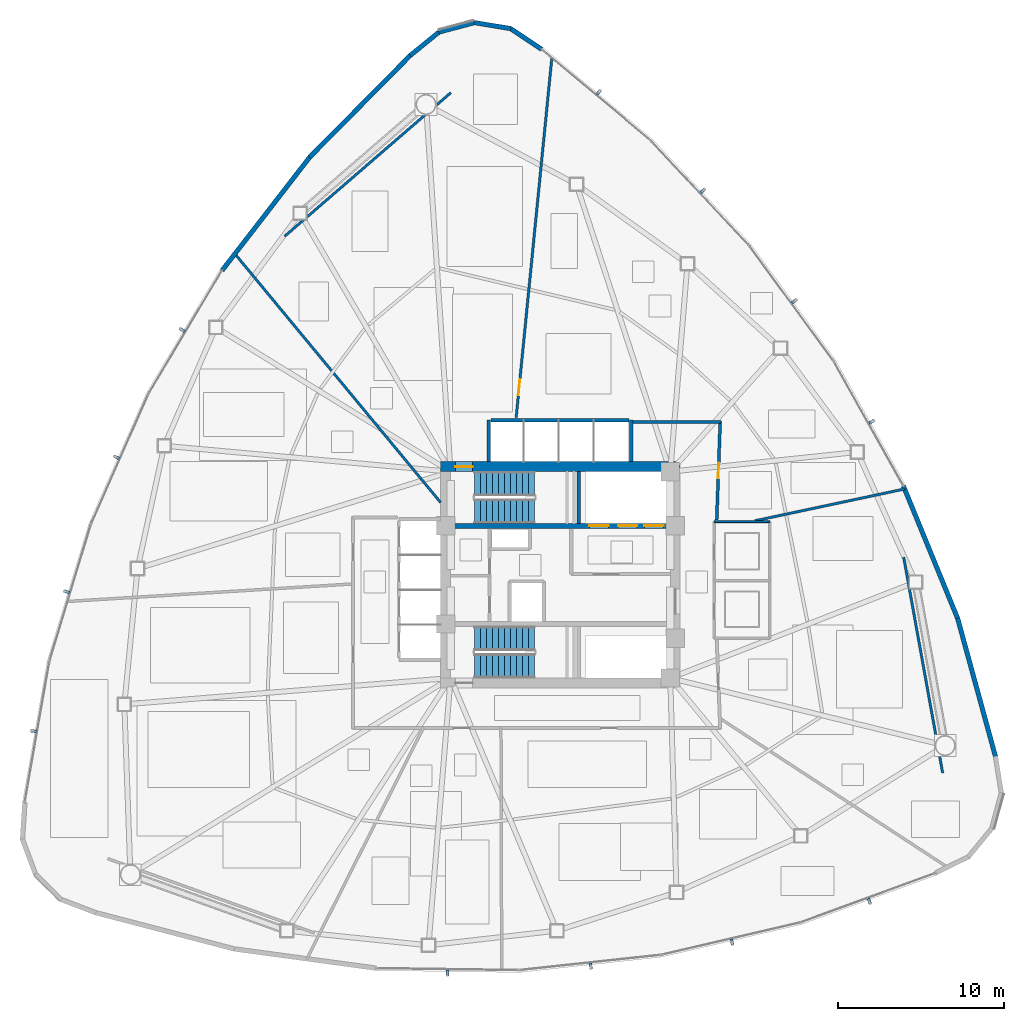
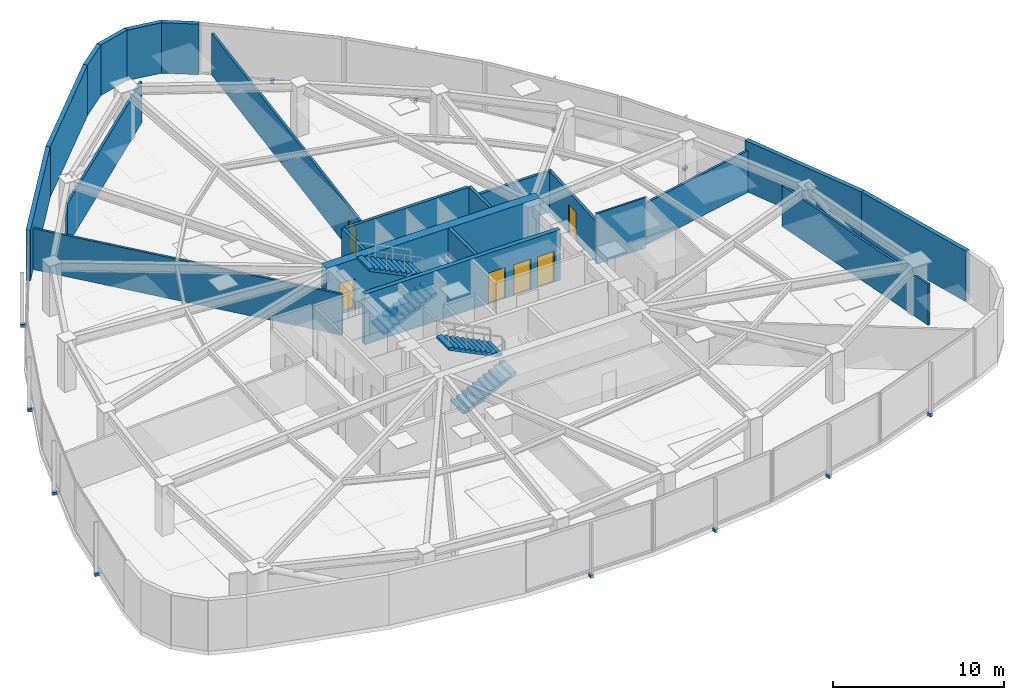
# One storey, part 12 of 16: 22 walls, 12 discrete accessories, 6 doors, 4 stair flights, 6 openings, 2 elements without a shape of their own.
"""IFC4 building model written with IfcOpenShell, lengths in metres."""

from ifc_helpers import new_model, si_unit, direction, frame, frame_2d, origin, origin_2d, place, context, subcontext, project, spatial, polyline, rectangle, outline, extrude, source, transform, mapped, material, layer, layer_set, type_object, type_shapes, element, fill, aggregate, save


model = new_model("IFC4")

# Units and contexts
model_context = context("Model", 3, precision=1e-05, world=origin(), true_north=direction((0.0, 1.0)))
body_context = subcontext(model_context, "Body", "Model", "MODEL_VIEW")
ifc_project = project(units=[si_unit("LENGTHUNIT", "METRE"), si_unit("AREAUNIT", "SQUARE_METRE"), si_unit("VOLUMEUNIT", "CUBIC_METRE"), si_unit("PLANEANGLEUNIT", "RADIAN"), si_unit("MASSUNIT", "GRAM", prefix="KILO")], contexts=[model_context])

# Site, building, storey
site_placement = place(None, origin())
site = spatial("IfcSite", under=ifc_project, at=site_placement, CompositionType="ELEMENT")
building_placement = place(site_placement, origin())
building = spatial("IfcBuilding", under=site, at=building_placement, Name="Tavelor Broadcast Tower", CompositionType="ELEMENT")
storey_placement = place(building_placement, frame((0.0, 0.0, 35.39990234375)))
storey = spatial("IfcBuildingStorey", under=building, at=storey_placement, Name="L07", CompositionType="ELEMENT", Elevation=35.39990234375)

# Wall, opening, door
ifc_material_1 = material(Name="Concrete C60/75", Category="concrete")
ifc_layer_1 = layer(ifc_material_1, 0.60009765625)
ifc_layer_set_1 = layer_set([ifc_layer_1], Name="Concrete C60/75")
wall_type_1 = type_object("IfcWallType", Name="Core Shear Wall 600 mm", PredefinedType="SHEAR", material=ifc_layer_set_1)
wall_1_placement = place(storey_placement, frame((42.800048828125, 51.5, 0.0), z_axis=(0.0, 0.0, 1.0), x_axis=(1.0, 0.0, 0.0)))
wall_1 = element("IfcWall", 1, at=wall_1_placement, inside=storey, type_object=wall_type_1, Name="L07 Central Core Shear Wall N", PredefinedType="SHEAR", context=body_context, shape_type="SweptSolid", body=[
    extrude(rectangle(XDim=14.39990234375, YDim=0.60009765625, at=frame_2d((7.199951171875, 0.0))), origin(), (0.0, 0.0, 1.0), 3.60009765625),
])
opening_1_placement = place(wall_1_placement, frame((0.8798828125, 0.0, 0.0)))
opening_1 = element("IfcOpeningElement", 2, at=opening_1_placement, cuts=wall_1, Name="Opening DR11", PredefinedType="OPENING", context=body_context, shape_type="SweptSolid", body=[
    extrude(rectangle(XDim=1.050048828125, YDim=2.199951171875, at=frame_2d((0.52490234375, 1.10009765625))), frame((0.0, 0.31005859375, 0.0), z_axis=(0.0, -1.0, 0.0), x_axis=(1.0, 0.0, 0.0)), (0.0, 0.0, 1.0), 0.6201171875),
])
ifc_material_2 = material(Name="Steel S355", Category="steel")
door_type_1 = type_object("IfcDoorType", Name="Stair Core Fire Escape Door 1050x2200", OperationType="NOTDEFINED", PredefinedType="DOOR", material=ifc_material_2)
door_1_placement = place(opening_1_placement, origin())
door_1 = element("IfcDoor", 3, at=door_1_placement, inside=storey, type_object=door_type_1, Name="L07 Stair ST1 Protected Exit Door", OperationType="SINGLE_SWING_LEFT", OverallHeight=2.199951171875, OverallWidth=1.050048828125, PredefinedType="DOOR", context=body_context, shape_type="SweptSolid", body=[
    extrude(rectangle(XDim=1.050048828125, YDim=2.199951171875, at=frame_2d((0.52490234375, 1.10009765625))), frame((0.0, 0.02490234375, 0.0), z_axis=(0.0, -1.0, 0.0), x_axis=(1.0, 0.0, 0.0)), (0.0, 0.0, 1.0), 0.050048828125),
])
fill(opening_1, door_1)

# Wall, openings, doors
ifc_layer_2 = layer(ifc_material_1, 0.300048828125)
ifc_layer_set_2 = layer_set([ifc_layer_2], Name="Concrete C60/75")
wall_type_2 = type_object("IfcWallType", Name="Core Spine Shear Wall 300 mm C60", PredefinedType="SHEAR", material=ifc_layer_set_2)
wall_2_placement = place(storey_placement, frame((43.39990234375, 47.949951171875, 0.0), z_axis=(0.0, 0.0, 1.0), x_axis=(1.0, 0.0, 0.0)))
wall_2 = element("IfcWall", 4, at=wall_2_placement, inside=storey, type_object=wall_type_2, Name="L07 Central Core Shear Wall SP1", PredefinedType="SHEAR", context=body_context, shape_type="SweptSolid", body=[
    extrude(rectangle(XDim=13.2001953125, YDim=0.300048828125, at=frame_2d((6.60009765625, 0.0))), origin(), (0.0, 0.0, 1.0), 3.60009765625),
])
opening_2_placement = place(wall_2_placement, frame((8.344970703125, 0.0, 0.0)))
opening_2 = element("IfcOpeningElement", 5, at=opening_2_placement, cuts=wall_2, Name="Opening LD02", PredefinedType="OPENING", context=body_context, shape_type="SweptSolid", body=[
    extrude(rectangle(XDim=1.14990234375, YDim=2.199951171875, at=frame_2d((0.574951171875, 1.10009765625))), frame((0.0, 0.16015625, 0.0), z_axis=(0.0, -1.0, 0.0), x_axis=(1.0, 0.0, 0.0)), (0.0, 0.0, 1.0), 0.320068359375),
])
opening_3_placement = place(wall_2_placement, frame((10.06494140625, 0.0, 0.0)))
opening_3 = element("IfcOpeningElement", 6, at=opening_3_placement, cuts=wall_2, Name="Opening LD02", PredefinedType="OPENING", context=body_context, shape_type="SweptSolid", body=[
    extrude(rectangle(XDim=1.14990234375, YDim=2.199951171875, at=frame_2d((0.574951171875, 1.10009765625))), frame((0.0, 0.16015625, 0.0), z_axis=(0.0, -1.0, 0.0), x_axis=(1.0, 0.0, 0.0)), (0.0, 0.0, 1.0), 0.320068359375),
])
opening_4_placement = place(wall_2_placement, frame((11.64501953125, 0.0, 0.0)))
opening_4 = element("IfcOpeningElement", 7, at=opening_4_placement, cuts=wall_2, Name="Opening LD03", PredefinedType="OPENING", context=body_context, shape_type="SweptSolid", body=[
    extrude(rectangle(XDim=1.14990234375, YDim=2.199951171875, at=frame_2d((0.574951171875, 1.10009765625))), frame((0.0, 0.16015625, 0.0), z_axis=(0.0, -1.0, 0.0), x_axis=(1.0, 0.0, 0.0)), (0.0, 0.0, 1.0), 0.320068359375),
])
ifc_material_3 = material(Name="Reinforced Brushed Stainless Steel", Category="concrete")
door_type_2 = type_object("IfcDoorType", Name="Broadcast Goods Lift Sliding Landing Door 1250x2200", OperationType="NOTDEFINED", PredefinedType="DOOR", material=ifc_material_3)
door_2_placement = place(opening_4_placement, origin())
door_2 = element("IfcDoor", 8, at=door_2_placement, inside=storey, type_object=door_type_2, Name="L07 Lift SVL1 Sliding Landing Door", OperationType="SLIDING_TO_LEFT", OverallHeight=2.199951171875, OverallWidth=1.14990234375, PredefinedType="DOOR", context=body_context, shape_type="SweptSolid", body=[
    extrude(rectangle(XDim=1.14990234375, YDim=2.199951171875, at=frame_2d((0.574951171875, 1.10009765625))), frame((0.0, 0.02490234375, 0.0), z_axis=(0.0, -1.0, 0.0), x_axis=(1.0, 0.0, 0.0)), (0.0, 0.0, 1.0), 0.050048828125),
])
fill(opening_4, door_2)
ifc_material_4 = material(Name="Fire-Rated Stainless Steel", Category="steel")
door_type_3 = type_object("IfcDoorType", Name="Firefighting Lift Sliding Landing Door 1200x2200", OperationType="NOTDEFINED", PredefinedType="DOOR", material=ifc_material_4)
door_3_placement = place(opening_2_placement, origin())
door_3 = element("IfcDoor", 9, at=door_3_placement, inside=storey, type_object=door_type_3, Name="L07 Lift FFL1 Sliding Landing Door", OperationType="SLIDING_TO_LEFT", OverallHeight=2.199951171875, OverallWidth=1.14990234375, PredefinedType="DOOR", context=body_context, shape_type="SweptSolid", body=[
    extrude(rectangle(XDim=1.14990234375, YDim=2.199951171875, at=frame_2d((0.574951171875, 1.10009765625))), frame((0.0, 0.02490234375, 0.0), z_axis=(0.0, -1.0, 0.0), x_axis=(1.0, 0.0, 0.0)), (0.0, 0.0, 1.0), 0.050048828125),
])
fill(opening_2, door_3)
door_4_placement = place(opening_3_placement, origin())
door_4 = element("IfcDoor", 10, at=door_4_placement, inside=storey, type_object=door_type_3, Name="L07 Lift FFL2 Sliding Landing Door", OperationType="SLIDING_TO_LEFT", OverallHeight=2.199951171875, OverallWidth=1.14990234375, PredefinedType="DOOR", context=body_context, shape_type="SweptSolid", body=[
    extrude(rectangle(XDim=1.14990234375, YDim=2.199951171875, at=frame_2d((0.574951171875, 1.10009765625))), frame((0.0, 0.02490234375, 0.0), z_axis=(0.0, -1.0, 0.0), x_axis=(1.0, 0.0, 0.0)), (0.0, 0.0, 1.0), 0.050048828125),
])
fill(opening_3, door_4)

# Wall
ifc_material_5 = material(Name="Calcium Silicate Fire Board 180 mm", Category="gypsum")
ifc_layer_3 = layer(ifc_material_5, 0.179931640625)
ifc_layer_set_3 = layer_set([ifc_layer_3], Name="Calcium Silicate Fire Board 180 mm")
wall_type_3 = type_object("IfcWallType", Name="Fire-Rated Corridor Partition Wall 180 mm", PredefinedType="PARTITIONING", material=ifc_layer_set_3)
wall_3_placement = place(storey_placement, frame((54.300048828125, 54.199951171875, 0.0), z_axis=(0.0, 0.0, 1.0), x_axis=(1.0, 0.0, 0.0)))
element("IfcWall", 11, at=wall_3_placement, inside=storey, type_object=wall_type_3, Name="L07 Corridor Compartment Wall 01", PredefinedType="PARTITIONING", context=body_context, shape_type="SweptSolid", body=[
    extrude(rectangle(XDim=5.349853515625, YDim=0.179931640625, at=frame_2d((2.6748046875, 0.0))), origin(), (0.0, 0.0, 1.0), 2.925048828125),
])

# Wall, opening, door
wall_4_placement = place(storey_placement, frame((59.601806640625, 54.25, 0.0), z_axis=(0.0, 0.0, 1.0), x_axis=(-0.035265891834, -0.999377964973, 0.0)))
wall_4 = element("IfcWall", 12, at=wall_4_placement, inside=storey, type_object=wall_type_3, Name="L07 Corridor Compartment Wall 02", PredefinedType="PARTITIONING", context=body_context, shape_type="SweptSolid", body=[
    extrude(rectangle(XDim=5.95361328125, YDim=0.179931640625, at=frame_2d((2.976806640625, 0.0))), origin(), (0.0, 0.0, 1.0), 2.925048828125),
])
opening_5_placement = place(wall_4_placement, frame((2.501708984375, 0.0, 0.0)))
opening_5 = element("IfcOpeningElement", 13, at=opening_5_placement, cuts=wall_4, Name="Opening DR18", PredefinedType="OPENING", context=body_context, shape_type="SweptSolid", body=[
    extrude(rectangle(XDim=0.949951171875, YDim=2.050048828125, at=frame_2d((0.47509765625, 1.02490234375))), frame((0.0, 0.10009765625, 0.0), z_axis=(0.0, -1.0, 0.0), x_axis=(1.0, 0.0, 0.0)), (0.0, 0.0, 1.0), 0.199951171875),
])
ifc_material_6 = material(Name="Timber Solid Core Hardwood", Category="wood")
door_type_4 = type_object("IfcDoorType", Name="Corridor Rated Compartment Door 950x2050", OperationType="NOTDEFINED", PredefinedType="DOOR", material=ifc_material_6)
door_5_placement = place(opening_5_placement, origin())
door_5 = element("IfcDoor", 14, at=door_5_placement, inside=storey, type_object=door_type_4, Name="L07 Editorial Quiet Study Door R5", OperationType="SINGLE_SWING_LEFT", OverallHeight=2.050048828125, OverallWidth=0.949951171875, PredefinedType="DOOR", context=body_context, shape_type="SweptSolid", body=[
    extrude(rectangle(XDim=0.949951171875, YDim=2.050048828125, at=frame_2d((0.47509765625, 1.02490234375))), frame((0.0, 0.02490234375, 0.0), z_axis=(0.0, -1.0, 0.0), x_axis=(1.0, 0.0, 0.0)), (0.0, 0.0, 1.0), 0.050048828125),
])
fill(opening_5, door_5)

# Walls
ifc_material_7 = material(Name="Precast Concrete C40/50", Category="concrete")
ifc_layer_4 = layer(ifc_material_7, 0.280029296875)
ifc_layer_set_4 = layer_set([ifc_layer_4], Name="Precast Concrete C40/50")
wall_type_4 = type_object("IfcWallType", Name="Insulated Precast Terracotta Facade Wall 280 mm", PredefinedType="STANDARD", material=ifc_layer_set_4)
wall_5_placement = place(storey_placement, frame((48.86328125, 76.587646484375, 0.0), z_axis=(0.0, 0.0, 1.0), x_axis=(-0.831447614853, 0.555603153119, 0.0)))
element("IfcWall", 15, at=wall_5_placement, inside=storey, type_object=wall_type_4, Name="L07 Rounded Corner Structural Cladding Pier 01", PredefinedType="STANDARD", context=body_context, shape_type="SweptSolid", body=[
    extrude(rectangle(XDim=2.245361328125, YDim=0.280029296875, at=frame_2d((1.12255859375, 0.0))), origin(), (0.0, 0.0, 1.0), 3.60009765625),
])
for number, where, z_axis, x_axis, name in (
    (16, (47.023681640625, 77.824462890625, 0.0), (0.0, 0.0, 1.0), (-0.986435244917, 0.164150868365, 0.0), "L07 Rounded Corner Structural Cladding Pier 02"),
    (17, (44.849365234375, 78.192626953125, 0.0), (0.0, 0.0, 1.0), (-0.966598588757, -0.256295080352, 0.0), "L07 Rounded Corner Structural Cladding Pier 03"),
):
    element("IfcWall", number, at=place(storey_placement, frame(where, z_axis=z_axis, x_axis=x_axis)), inside=storey, type_object=wall_type_4, Name=name, PredefinedType="STANDARD", context=body_context, shape_type="SweptSolid", body=[
        extrude(rectangle(XDim=2.23388671875, YDim=0.280029296875, at=frame_2d((1.116943359375, 0.0))), origin(), (0.0, 0.0, 1.0), 3.60009765625),
    ])
wall_6_placement = place(storey_placement, frame((42.71630859375, 77.63330078125, 0.0), z_axis=(0.0, 0.0, 1.0), x_axis=(-0.775531205997, -0.631309233676, 0.0)))
element("IfcWall", 18, at=wall_6_placement, inside=storey, type_object=wall_type_4, Name="L07 Rounded Corner Structural Cladding Pier 04", PredefinedType="STANDARD", context=body_context, shape_type="SweptSolid", body=[
    extrude(rectangle(XDim=2.256591796875, YDim=0.280029296875, at=frame_2d((1.12841796875, 0.0))), origin(), (0.0, 0.0, 1.0), 3.60009765625),
])
wall_7_placement = place(storey_placement, frame((40.988525390625, 76.22900390625, 0.0), z_axis=(0.0, 0.0, 1.0), x_axis=(-0.703093536354, -0.711097376691, 0.0)))
element("IfcWall", 19, at=wall_7_placement, inside=storey, type_object=wall_type_4, Name="L07 Rounded Corner Structural Cladding Pier 05", PredefinedType="STANDARD", context=body_context, shape_type="SweptSolid", body=[
    extrude(rectangle(XDim=8.63232421875, YDim=0.280029296875, at=frame_2d((4.316162109375, 0.0))), origin(), (0.0, 0.0, 1.0), 3.60009765625),
])
wall_8_placement = place(storey_placement, frame((34.93896484375, 70.11328125, 0.0), z_axis=(0.0, 0.0, 1.0), x_axis=(-0.611877833045, -0.790952285178, 0.0)))
element("IfcWall", 20, at=wall_8_placement, inside=storey, type_object=wall_type_4, Name="L07 Rounded Corner Structural Cladding Pier 06", PredefinedType="STANDARD", context=body_context, shape_type="SweptSolid", body=[
    extrude(rectangle(XDim=8.620361328125, YDim=0.280029296875, at=frame_2d((4.31005859375, 0.0))), origin(), (0.0, 0.0, 1.0), 3.60009765625),
])
wall_9_placement = place(storey_placement, frame((76.150634765625, 34.072021484375, 0.0), z_axis=(0.0, 0.0, 1.0), x_axis=(-0.264268301547, 0.964449202808, 0.0)))
element("IfcWall", 21, at=wall_9_placement, inside=storey, type_object=wall_type_4, Name="L07 Rounded Corner Structural Cladding Pier 25", PredefinedType="STANDARD", context=body_context, shape_type="SweptSolid", body=[
    extrude(rectangle(XDim=8.63232421875, YDim=0.280029296875, at=frame_2d((4.316162109375, 0.0))), origin(), (0.0, 0.0, 1.0), 3.60009765625),
])
wall_10_placement = place(storey_placement, frame((73.879150390625, 42.368896484375, 0.0), z_axis=(0.0, 0.0, 1.0), x_axis=(-0.379029816486, 0.925384459678, 0.0)))
element("IfcWall", 22, at=wall_10_placement, inside=storey, type_object=wall_type_4, Name="L07 Rounded Corner Structural Cladding Pier 26", PredefinedType="STANDARD", context=body_context, shape_type="SweptSolid", body=[
    extrude(rectangle(XDim=8.620361328125, YDim=0.280029296875, at=frame_2d((4.31005859375, 0.0))), origin(), (0.0, 0.0, 1.0), 3.60009765625),
])
ifc_material_8 = material(Name="Gypsum Acoustic Plasterboard 150 mm", Category="gypsum")
ifc_layer_5 = layer(ifc_material_8, 0.14990234375)
ifc_layer_set_5 = layer_set([ifc_layer_5], Name="Gypsum Acoustic Plasterboard 150 mm")
wall_type_5 = type_object("IfcWallType", Name="Interior Acoustic Partition Wall 150 mm", PredefinedType="PARTITIONING", material=ifc_layer_set_5)
wall_11_placement = place(storey_placement, frame((43.42138671875, 73.9794921875, 0.0), z_axis=(0.0, 0.0, 1.0), x_axis=(-0.756659135409, -0.653809569218, 0.0)))
element("IfcWall", 23, at=wall_11_placement, inside=storey, type_object=wall_type_5, Name="L07 Corner Tube Brace Furring Wall 1", PredefinedType="PARTITIONING", context=body_context, shape_type="SweptSolid", body=[
    extrude(rectangle(XDim=13.200439453125, YDim=0.14990234375, at=frame_2d((6.60009765625, 0.0))), origin(), (0.0, 0.0, 1.0), 2.925048828125),
])
wall_12_placement = place(storey_placement, frame((72.96923828125, 33.09130859375, 0.0), z_axis=(0.0, 0.0, 1.0), x_axis=(-0.177742578179, 0.984077017261, 0.0)))
element("IfcWall", 24, at=wall_12_placement, inside=storey, type_object=wall_type_5, Name="L07 Corner Tube Brace Furring Wall 3", PredefinedType="PARTITIONING", context=body_context, shape_type="SweptSolid", body=[
    extrude(rectangle(XDim=13.179443359375, YDim=0.14990234375, at=frame_2d((6.58984375, 0.0))), origin(), (0.0, 0.0, 1.0), 2.925048828125),
])
wall_13_placement = place(storey_placement, frame((61.68994140625, 48.25, 0.0), z_axis=(0.0, 0.0, 1.0), x_axis=(0.978146787785, 0.207915515404, 0.0)))
element("IfcWall", 25, at=wall_13_placement, inside=storey, type_object=wall_type_5, Name="L07 Radial Compartment Wall 01", PredefinedType="PARTITIONING", context=body_context, shape_type="SweptSolid", body=[
    extrude(rectangle(XDim=9.208251953125, YDim=0.14990234375, at=frame_2d((4.60400390625, 0.0))), origin(), (0.0, 0.0, 1.0), 2.97509765625),
])

# Wall, opening, door
wall_14_placement = place(storey_placement, frame((47.33837890625, 54.449951171875, 0.0), z_axis=(0.0, 0.0, 1.0), x_axis=(0.098799726218, 0.995107337979, 0.0)))
wall_14 = element("IfcWall", 26, at=wall_14_placement, inside=storey, type_object=wall_type_5, Name="L07 Radial Compartment Wall 02", PredefinedType="PARTITIONING", context=body_context, shape_type="SweptSolid", body=[
    extrude(rectangle(XDim=21.735595703125, YDim=0.14990234375, at=frame_2d((10.86767578125, 0.0))), origin(), (0.0, 0.0, 1.0), 2.97509765625),
])
opening_6_placement = place(wall_14_placement, frame((1.35009765625, 0.0, 0.0)))
opening_6 = element("IfcOpeningElement", 27, at=opening_6_placement, cuts=wall_14, Name="Opening DR18", PredefinedType="OPENING", context=body_context, shape_type="SweptSolid", body=[
    extrude(rectangle(XDim=0.949951171875, YDim=2.050048828125, at=frame_2d((0.47509765625, 1.02490234375))), frame((0.0, 0.0849609375, 0.0), z_axis=(0.0, -1.0, 0.0), x_axis=(1.0, 0.0, 0.0)), (0.0, 0.0, 1.0), 0.169921875),
])
door_6_placement = place(opening_6_placement, origin())
door_6 = element("IfcDoor", 28, at=door_6_placement, inside=storey, type_object=door_type_4, Name="L07 Suite Connecting Door 4", OperationType="SINGLE_SWING_RIGHT", OverallHeight=2.050048828125, OverallWidth=0.949951171875, PredefinedType="DOOR", context=body_context, shape_type="SweptSolid", body=[
    extrude(rectangle(XDim=0.949951171875, YDim=2.050048828125, at=frame_2d((0.47509765625, 1.02490234375))), frame((0.0, 0.02490234375, 0.0), z_axis=(0.0, -1.0, 0.0), x_axis=(1.0, 0.0, 0.0)), (0.0, 0.0, 1.0), 0.050048828125),
])
fill(opening_6, door_6)

# Walls
wall_15_placement = place(storey_placement, frame((42.800048828125, 49.351318359375, 0.0), z_axis=(0.0, 0.0, 1.0), x_axis=(-0.637471405161, 0.770474014878, 0.0)))
element("IfcWall", 29, at=wall_15_placement, inside=storey, type_object=wall_type_5, Name="L07 Radial Compartment Wall 03", PredefinedType="PARTITIONING", context=body_context, shape_type="SweptSolid", body=[
    extrude(rectangle(XDim=19.404296875, YDim=0.14990234375, at=frame_2d((9.7021484375, 0.0))), origin(), (0.0, 0.0, 1.0), 2.925048828125),
])
ifc_material_9 = material(Name="Concrete Blockwork 200 mm", Category="masonry")
ifc_layer_6 = layer(ifc_material_9, 0.199951171875)
ifc_layer_set_6 = layer_set([ifc_layer_6], Name="Concrete Blockwork 200 mm")
wall_type_6 = type_object("IfcWallType", Name="Lift Hoistway Rated Front Wall 200 mm", PredefinedType="PARTITIONING", material=ifc_layer_set_6)
wall_16_placement = place(storey_placement, frame((45.820068359375, 54.300048828125, 0.0), z_axis=(0.0, 0.0, 1.0), x_axis=(1.0, 0.0, 0.0)))
element("IfcWall", 30, at=wall_16_placement, inside=storey, type_object=wall_type_6, Name="L07 High-Rise Lift Hoistway Front Wall", PredefinedType="PARTITIONING", context=body_context, shape_type="SweptSolid", body=[
    extrude(rectangle(XDim=8.309814453125, YDim=0.199951171875, at=frame_2d((4.15478515625, 0.0))), origin(), (0.0, 0.0, 1.0), 3.60009765625),
])
ifc_layer_7 = layer(ifc_material_9, 0.199951171875)
ifc_layer_set_7 = layer_set([ifc_layer_7], Name="Concrete Blockwork 200 mm")
wall_type_7 = type_object("IfcWallType", Name="Lift and Riser Shaft Enclosure Wall 200 mm", PredefinedType="PARTITIONING", material=ifc_layer_set_7)
for number, where, z_axis, x_axis, name in (
    (31, (45.699951171875, 51.800048828125, 0.0), (0.0, 0.0, 1.0), (0.0, 1.0, 0.0), "L07 High-Rise Lift Shaft West Wall"),
    (32, (54.25, 51.800048828125, 0.0), (0.0, 0.0, 1.0), (0.0, 1.0, 0.0), "L07 High-Rise Lift Shaft East Wall"),
):
    element("IfcWall", number, at=place(storey_placement, frame(where, z_axis=z_axis, x_axis=x_axis)), inside=storey, type_object=wall_type_7, Name=name, PredefinedType="PARTITIONING", context=body_context, shape_type="SweptSolid", body=[
        extrude(rectangle(XDim=2.5, YDim=0.199951171875, at=frame_2d((1.25, 0.0))), origin(), (0.0, 0.0, 1.0), 3.60009765625),
    ])
ifc_material_10 = material(Name="Moisture-Resistant Plasterboard 120 mm", Category="gypsum")
ifc_layer_8 = layer(ifc_material_10, 0.1201171875)
ifc_layer_set_8 = layer_set([ifc_layer_8], Name="Moisture-Resistant Plasterboard 120 mm")
wall_type_8 = type_object("IfcWallType", Name="Moisture-Resistant Wet-Room Partition 120 mm", PredefinedType="PARTITIONING", material=ifc_layer_set_8)
wall_17_placement = place(storey_placement, frame((59.239990234375, 48.199951171875, 0.0), z_axis=(0.0, 0.0, 1.0), x_axis=(1.0, 0.0, 0.0)))
element("IfcWall", 33, at=wall_17_placement, inside=storey, type_object=wall_type_8, Name="L07 Floor Washrooms North Wall", PredefinedType="PARTITIONING", context=body_context, shape_type="SweptSolid", body=[
    extrude(rectangle(XDim=3.340087890625, YDim=0.1201171875, at=frame_2d((1.669921875, 0.0))), origin(), (0.0, 0.0, 1.0), 3.60009765625),
])
ifc_material_11 = material(Name="Concrete C40/50", Category="concrete")
ifc_layer_9 = layer(ifc_material_11, 0.219970703125)
ifc_layer_set_9 = layer_set([ifc_layer_9], Name="Concrete C40/50")
wall_type_9 = type_object("IfcWallType", Name="Structural Stairwell Shear Wall 220 mm", PredefinedType="SHEAR", material=ifc_layer_set_9)
wall_18_placement = place(storey_placement, frame((51.110107421875, 48.10009765625, 0.0), z_axis=(0.0, 0.0, 1.0), x_axis=(0.0, 1.0, 0.0)))
element("IfcWall", 34, at=wall_18_placement, inside=storey, type_object=wall_type_9, Name="L07 Stair ST1 Structural Shaft Wall", PredefinedType="SHEAR", context=body_context, shape_type="SweptSolid", body=[
    extrude(rectangle(XDim=3.099853515625, YDim=0.219970703125, at=frame_2d((1.5498046875, 0.0))), origin(), (0.0, 0.0, 1.0), 3.60009765625),
])

# Stair, stair flights
stair_type = type_object("IfcStairType", Name="Reinforced Concrete Protected Dogleg Stair 1450 mm", PredefinedType="HALF_TURN_STAIR", material=ifc_material_11)
stair_1_placement = place(storey_placement, origin())
stair_1 = element("IfcStair", 35, at=stair_1_placement, inside=storey, type_object=stair_type, Name="L07 Protected Core Exit Stair ST1", PredefinedType="HALF_TURN_STAIR")
stair_flight_type = type_object("IfcStairFlightType", Name="Reinforced Concrete Stair Flight 1450 mm", PredefinedType="STRAIGHT", material=ifc_material_11)
stair_flight_1_placement = place(storey_placement, frame((44.85009765625, 48.824951171875, 0.0), z_axis=(0.0, 0.0, 1.0), x_axis=(1.0, 0.0, 0.0)))
stair_flight_1 = element("IfcStairFlight", 36, at=stair_flight_1_placement, type_object=stair_flight_type, Name="ST1 flight 1", NumberOfRisers=11, NumberOfTreads=10, PredefinedType="STRAIGHT", RiserHeight=0.177272727, TreadLength=0.36, context=body_context, shape_type="SweptSolid", body=[
    extrude(outline(polyline([(0.0, 0.0), (0.0, 0.17724609375), (0.360107421875, 0.17724609375), (0.360107421875, 0.3544921875), (0.719970703125, 0.3544921875), (0.719970703125, 0.53173828125), (1.080078125, 0.53173828125), (1.080078125, 0.708984375), (1.43994140625, 0.708984375), (1.43994140625, 0.886474609375), (1.800048828125, 0.886474609375), (1.800048828125, 1.063720703125), (2.159912109375, 1.063720703125), (2.159912109375, 1.240966796875), (2.52001953125, 1.240966796875), (2.52001953125, 1.418212890625), (2.8798828125, 1.418212890625), (2.8798828125, 1.595458984375), (3.239990234375, 1.595458984375), (3.239990234375, 1.772705078125), (3.60009765625, 1.772705078125), (3.60009765625, 1.949951171875), (3.60009765625, 1.605712890625), (0.33935546875, 0.0), (0.0, 0.0)])), frame((0.0, 0.72509765625, 0.0), z_axis=(0.0, -1.0, 0.0), x_axis=(1.0, 0.0, 0.0)), (0.0, 0.0, 1.0), 1.449951171875),
])
stair_flight_2_placement = place(storey_placement, frame((48.449951171875, 50.47509765625, 1.9501953125), z_axis=(0.0, 0.0, 1.0), x_axis=(-1.0, 0.0, 0.0)))
stair_flight_2 = element("IfcStairFlight", 37, at=stair_flight_2_placement, type_object=stair_flight_type, Name="ST1 flight 2", NumberOfRisers=11, NumberOfTreads=10, PredefinedType="STRAIGHT", RiserHeight=0.177272727, TreadLength=0.36, context=body_context, shape_type="SweptSolid", body=[
    extrude(outline(polyline([(0.0, 0.0), (0.0, 0.17724609375), (0.360107421875, 0.17724609375), (0.360107421875, 0.3544921875), (0.719970703125, 0.3544921875), (0.719970703125, 0.53173828125), (1.080078125, 0.53173828125), (1.080078125, 0.708984375), (1.43994140625, 0.708984375), (1.43994140625, 0.886474609375), (1.800048828125, 0.886474609375), (1.800048828125, 1.063720703125), (2.159912109375, 1.063720703125), (2.159912109375, 1.240966796875), (2.52001953125, 1.240966796875), (2.52001953125, 1.418212890625), (2.8798828125, 1.418212890625), (2.8798828125, 1.595458984375), (3.239990234375, 1.595458984375), (3.239990234375, 1.772705078125), (3.60009765625, 1.772705078125), (3.60009765625, 1.949951171875), (3.60009765625, 1.605712890625), (0.33935546875, 0.0), (0.0, 0.0)])), frame((0.0, 0.72509765625, 0.0), z_axis=(0.0, -1.0, 0.0), x_axis=(1.0, 0.0, 0.0)), (0.0, 0.0, 1.0), 1.449951171875),
])
aggregate(stair_1, [stair_flight_1, stair_flight_2])

stair_2_placement = place(storey_placement, origin())
stair_2 = element("IfcStair", 38, at=stair_2_placement, inside=storey, type_object=stair_type, Name="L07 Protected Core Exit Stair ST2", PredefinedType="HALF_TURN_STAIR")
stair_flight_3_placement = place(storey_placement, frame((44.85009765625, 39.52490234375, 0.0), z_axis=(0.0, 0.0, 1.0), x_axis=(1.0, 0.0, 0.0)))
stair_flight_3 = element("IfcStairFlight", 39, at=stair_flight_3_placement, type_object=stair_flight_type, Name="ST2 flight 1", NumberOfRisers=11, NumberOfTreads=10, PredefinedType="STRAIGHT", RiserHeight=0.177272727, TreadLength=0.36, context=body_context, shape_type="SweptSolid", body=[
    extrude(outline(polyline([(0.0, 0.0), (0.0, 0.17724609375), (0.360107421875, 0.17724609375), (0.360107421875, 0.3544921875), (0.719970703125, 0.3544921875), (0.719970703125, 0.53173828125), (1.080078125, 0.53173828125), (1.080078125, 0.708984375), (1.43994140625, 0.708984375), (1.43994140625, 0.886474609375), (1.800048828125, 0.886474609375), (1.800048828125, 1.063720703125), (2.159912109375, 1.063720703125), (2.159912109375, 1.240966796875), (2.52001953125, 1.240966796875), (2.52001953125, 1.418212890625), (2.8798828125, 1.418212890625), (2.8798828125, 1.595458984375), (3.239990234375, 1.595458984375), (3.239990234375, 1.772705078125), (3.60009765625, 1.772705078125), (3.60009765625, 1.949951171875), (3.60009765625, 1.605712890625), (0.33935546875, 0.0), (0.0, 0.0)])), frame((0.0, 0.72509765625, 0.0), z_axis=(0.0, -1.0, 0.0), x_axis=(1.0, 0.0, 0.0)), (0.0, 0.0, 1.0), 1.449951171875),
])
stair_flight_4_placement = place(storey_placement, frame((48.449951171875, 41.175048828125, 1.9501953125), z_axis=(0.0, 0.0, 1.0), x_axis=(-1.0, 0.0, 0.0)))
stair_flight_4 = element("IfcStairFlight", 40, at=stair_flight_4_placement, type_object=stair_flight_type, Name="ST2 flight 2", NumberOfRisers=11, NumberOfTreads=10, PredefinedType="STRAIGHT", RiserHeight=0.177272727, TreadLength=0.36, context=body_context, shape_type="SweptSolid", body=[
    extrude(outline(polyline([(0.0, 0.0), (0.0, 0.17724609375), (0.360107421875, 0.17724609375), (0.360107421875, 0.3544921875), (0.719970703125, 0.3544921875), (0.719970703125, 0.53173828125), (1.080078125, 0.53173828125), (1.080078125, 0.708984375), (1.43994140625, 0.708984375), (1.43994140625, 0.886474609375), (1.800048828125, 0.886474609375), (1.800048828125, 1.063720703125), (2.159912109375, 1.063720703125), (2.159912109375, 1.240966796875), (2.52001953125, 1.240966796875), (2.52001953125, 1.418212890625), (2.8798828125, 1.418212890625), (2.8798828125, 1.595458984375), (3.239990234375, 1.595458984375), (3.239990234375, 1.772705078125), (3.60009765625, 1.772705078125), (3.60009765625, 1.949951171875), (3.60009765625, 1.605712890625), (0.33935546875, 0.0), (0.0, 0.0)])), frame((0.0, 0.72509765625, 0.0), z_axis=(0.0, -1.0, 0.0), x_axis=(1.0, 0.0, 0.0)), (0.0, 0.0, 1.0), 1.449951171875),
])
aggregate(stair_2, [stair_flight_3, stair_flight_4])

# Discrete accessories
discrete_accessory_type = type_object("IfcDiscreteAccessoryType", Name="Stainless Baguette Outrigger Support Bracket 260x180", PredefinedType="BRACKET", material=ifc_material_2)
shared_shape = source(origin(), body_context, "Body", "SweptSolid", [
    extrude(rectangle(XDim=0.179931640625, YDim=0.340087890625, at=origin_2d()), origin(), (0.0, 0.0, 1.0), 0.216064453125),
])
type_shapes(discrete_accessory_type, [shared_shape])
for number, where, z_axis, x_axis, name in (
    (41, (27.27734375, 59.7158203125, -0.2578125), (0.0, 0.0, 1.0), (-0.511743000114, -0.859138581274, 0.0), "L07 Baguette Outrigger Bracket 37"),
    (42, (23.327392578125, 52.06298828125, -0.2578125), (0.0, 0.0, 1.0), (-0.404024312775, -0.914748246616, 0.0), "L07 Baguette Outrigger Bracket 38"),
    (43, (20.33251953125, 43.98828125, -0.2578125), (0.0, 0.0, 1.0), (-0.290201167351, -0.956965664205, 0.0), "L07 Baguette Outrigger Bracket 39"),
    (44, (18.3369140625, 35.610595703125, -0.2578125), (0.0, 0.0, 1.0), (-0.172272957823, -0.985049251562, 0.0), "L07 Baguette Outrigger Bracket 40"),
    (45, (43.217041015625, 21.081298828125, -0.2578125), (0.0, 0.0, 1.0), (0.999907336812, -0.013613147671, 0.0), "L07 Baguette Outrigger Bracket 41"),
    (46, (51.819580078125, 21.487060546875, -0.2578125), (0.0, 0.0, 1.0), (0.994207376024, 0.107478804698, 0.0), "L07 Baguette Outrigger Bracket 42"),
    (47, (60.309814453125, 22.930908203125, -0.2578125), (0.0, 0.0, 1.0), (0.973857159427, 0.227161248969, 0.0), "L07 Baguette Outrigger Bracket 43"),
    (48, (68.56298828125, 25.391357421875, -0.2578125), (0.0, 0.0, 1.0), (0.939214154743, 0.343331867922, 0.0), "L07 Baguette Outrigger Bracket 44"),
    (49, (68.70556640625, 54.202880859375, -0.2578125), (0.0, 0.0, 1.0), (-0.488164336698, 0.872751728945, 0.0), "L07 Baguette Outrigger Bracket 45"),
    (50, (64.052978515625, 61.449951171875, -0.2578125), (0.0, 0.0, 1.0), (-0.590323949356, 0.807166423246, 0.0), "L07 Baguette Outrigger Bracket 46"),
    (51, (58.5576171875, 68.080810546875, -0.2578125), (0.0, 0.0, 1.0), (-0.683655992076, 0.729804415237, 0.0), "L07 Baguette Outrigger Bracket 47"),
    (52, (52.300048828125, 73.998046875, -0.2578125), (0.0, 0.0, 1.0), (-0.76694119692, 0.64171738364, 0.0), "L07 Baguette Outrigger Bracket 48"),
):
    element("IfcDiscreteAccessory", number, at=place(storey_placement, frame(where, z_axis=z_axis, x_axis=x_axis)), inside=storey, type_object=discrete_accessory_type, Name=name, PredefinedType="BRACKET", context=body_context, shape_type="MappedRepresentation", body=[
        mapped(shared_shape, transform((0.0, 0.0, 0.0), scale=1.0)),
    ])

save(model, "model.ifc")
